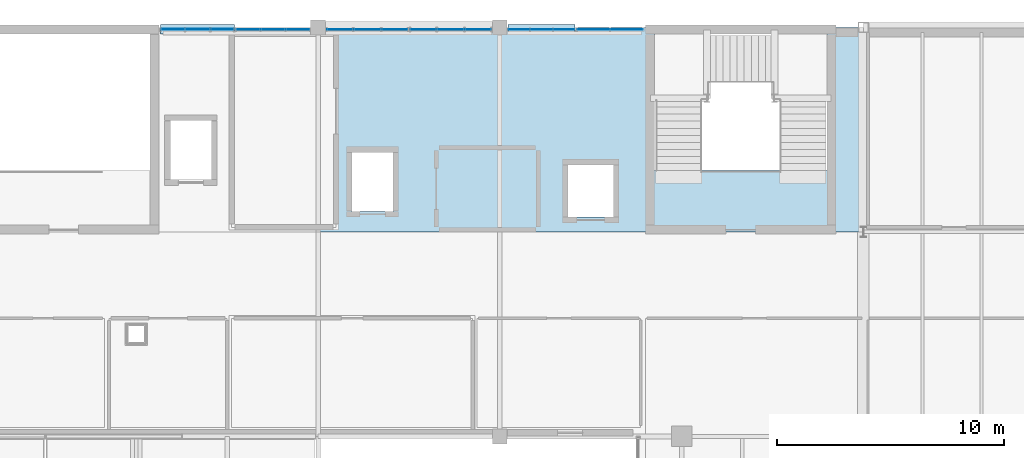
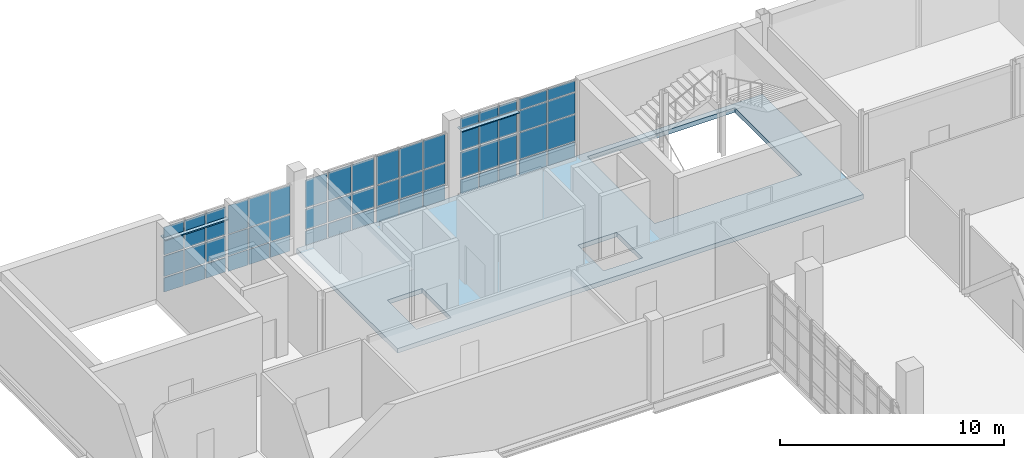
# One storey, part 22 of 38: 58 plates, 1 slab, 6 elements without a shape of their own.
"""IFC4 building model written with IfcOpenShell, lengths in metres."""

from ifc_helpers import new_model, si_unit, derived_unit, direction, frame, origin, origin_2d, place, context, subcontext, project, spatial, polyline, rectangle, outline, extrude, material, layer, layer_set, type_object, element, aggregate, save


model = new_model("IFC4")

# Units and contexts
model_context = context("Model", 3, precision=1e-05, world=origin(), true_north=direction((0.0, 1.0)))
body_context = subcontext(model_context, "Body", "Model", "MODEL_VIEW")
ifc_project = project(units=[si_unit("LENGTHUNIT", "METRE"), si_unit("AREAUNIT", "SQUARE_METRE"), si_unit("VOLUMEUNIT", "CUBIC_METRE"), si_unit("PLANEANGLEUNIT", "RADIAN"), si_unit("MASSUNIT", "GRAM", prefix="KILO"), derived_unit("THERMALTRANSMITTANCEUNIT", [(si_unit("POWERUNIT", "WATT"), 1), (si_unit("LENGTHUNIT", "METRE"), -2), (si_unit("THERMODYNAMICTEMPERATUREUNIT", "KELVIN"), -1)])], contexts=[model_context])

# Site, building, storey
site_placement = place(None, origin())
site = spatial("IfcSite", under=ifc_project, at=site_placement, CompositionType="ELEMENT")
building_placement = place(site_placement, origin())
building = spatial("IfcBuilding", under=site, at=building_placement, Name="Nallur Shell Playhouse", CompositionType="ELEMENT")
storey_placement = place(building_placement, frame((0.0, 0.0, 24.300048828125)))
storey = spatial("IfcBuildingStorey", under=building, at=storey_placement, Name="L06", CompositionType="ELEMENT", Elevation=24.300048828125)

# Curtain wall, plates
ifc_material_1 = material(Name="Anodised Aluminium Double-Glazed Facade System", Category="aluminium")
ifc_layer_1 = layer(ifc_material_1, 0.1640625)
ifc_layer_set_1 = layer_set([ifc_layer_1], Name="Anodised Aluminium Double-Glazed Facade System")
curtain_wall_type_1 = type_object("IfcCurtainWallType", Name="CW-UNIT-01", PredefinedType="NOTDEFINED", material=ifc_layer_set_1)
curtain_wall_1_placement = place(storey_placement, origin())
curtain_wall_1 = element("IfcCurtainWall", 1, at=curtain_wall_1_placement, inside=storey, type_object=curtain_wall_type_1, Name="Unitised curtain wall CW-193 (L06)", PredefinedType="NOTDEFINED")
ifc_material_2 = material(Name="Solar-Control Low-E Laminated Insulating Glass", Category="glass")
ifc_layer_2 = layer(ifc_material_2, 0.02587890625)
ifc_layer_set_2 = layer_set([ifc_layer_2], Name="Solar-Control Low-E Laminated Insulating Glass")
plate_type_1 = type_object("IfcPlateType", Name="PT-GLZ-01", PredefinedType="CURTAIN_PANEL", material=ifc_layer_set_2)
plate_1_placement = place(storey_placement, frame((36.930419921875, 82.909912109375, 0.05712890625), z_axis=(0.0, 0.0, 1.0), x_axis=(1.0, 0.0, 0.0)))
plate_1 = element("IfcPlate", 2, at=plate_1_placement, type_object=plate_type_1, Name="CW-01 panel 1.1", PredefinedType="CURTAIN_PANEL", context=body_context, shape_type="SweptSolid", body=[
    extrude(rectangle(XDim=1.019775390625, YDim=0.02587890625, at=origin_2d()), origin(), (0.0, 0.0, 1.0), 0.818603515625),
])
plate_2_placement = place(storey_placement, frame((36.930419921875, 82.909912109375, 0.92431640625), z_axis=(0.0, 0.0, 1.0), x_axis=(1.0, 0.0, 0.0)))
plate_2 = element("IfcPlate", 3, at=plate_2_placement, type_object=plate_type_1, Name="CW-01 panel 1.2", PredefinedType="CURTAIN_PANEL", context=body_context, shape_type="SweptSolid", body=[
    extrude(rectangle(XDim=1.019775390625, YDim=0.02587890625, at=origin_2d()), origin(), (0.0, 0.0, 1.0), 1.1201171875),
])
plate_3_placement = place(storey_placement, frame((36.930419921875, 82.909912109375, 2.093505859375), z_axis=(0.0, 0.0, 1.0), x_axis=(1.0, 0.0, 0.0)))
plate_3 = element("IfcPlate", 4, at=plate_3_placement, type_object=plate_type_1, Name="CW-01 panel 1.3", PredefinedType="CURTAIN_PANEL", context=body_context, shape_type="SweptSolid", body=[
    extrude(rectangle(XDim=1.019775390625, YDim=0.02587890625, at=origin_2d()), origin(), (0.0, 0.0, 1.0), 1.54443359375),
])
plate_4_placement = place(storey_placement, frame((38.01513671875, 82.909912109375, 0.05712890625), z_axis=(0.0, 0.0, 1.0), x_axis=(1.0, 0.0, 0.0)))
plate_4 = element("IfcPlate", 5, at=plate_4_placement, type_object=plate_type_1, Name="CW-01 panel 2.1", PredefinedType="CURTAIN_PANEL", context=body_context, shape_type="SweptSolid", body=[
    extrude(rectangle(XDim=1.05224609375, YDim=0.02587890625, at=origin_2d()), origin(), (0.0, 0.0, 1.0), 0.818603515625),
])
plate_5_placement = place(storey_placement, frame((38.01513671875, 82.909912109375, 0.92431640625), z_axis=(0.0, 0.0, 1.0), x_axis=(1.0, 0.0, 0.0)))
plate_5 = element("IfcPlate", 6, at=plate_5_placement, type_object=plate_type_1, Name="CW-01 panel 2.2", PredefinedType="CURTAIN_PANEL", context=body_context, shape_type="SweptSolid", body=[
    extrude(rectangle(XDim=1.05224609375, YDim=0.02587890625, at=origin_2d()), origin(), (0.0, 0.0, 1.0), 1.1201171875),
])
plate_6_placement = place(storey_placement, frame((38.01513671875, 82.909912109375, 2.093505859375), z_axis=(0.0, 0.0, 1.0), x_axis=(1.0, 0.0, 0.0)))
plate_6 = element("IfcPlate", 7, at=plate_6_placement, type_object=plate_type_1, Name="CW-01 panel 2.3", PredefinedType="CURTAIN_PANEL", context=body_context, shape_type="SweptSolid", body=[
    extrude(rectangle(XDim=1.05224609375, YDim=0.02587890625, at=origin_2d()), origin(), (0.0, 0.0, 1.0), 1.54443359375),
])
plate_7_placement = place(storey_placement, frame((39.10009765625, 82.909912109375, 0.05712890625), z_axis=(0.0, 0.0, 1.0), x_axis=(1.0, 0.0, 0.0)))
plate_7 = element("IfcPlate", 8, at=plate_7_placement, type_object=plate_type_1, Name="CW-01 panel 3.1", PredefinedType="CURTAIN_PANEL", context=body_context, shape_type="SweptSolid", body=[
    extrude(rectangle(XDim=1.019775390625, YDim=0.02587890625, at=origin_2d()), origin(), (0.0, 0.0, 1.0), 0.818603515625),
])
plate_8_placement = place(storey_placement, frame((39.10009765625, 82.909912109375, 0.92431640625), z_axis=(0.0, 0.0, 1.0), x_axis=(1.0, 0.0, 0.0)))
plate_8 = element("IfcPlate", 9, at=plate_8_placement, type_object=plate_type_1, Name="CW-01 panel 3.2", PredefinedType="CURTAIN_PANEL", context=body_context, shape_type="SweptSolid", body=[
    extrude(rectangle(XDim=1.019775390625, YDim=0.02587890625, at=origin_2d()), origin(), (0.0, 0.0, 1.0), 1.1201171875),
])
plate_9_placement = place(storey_placement, frame((39.10009765625, 82.909912109375, 2.093505859375), z_axis=(0.0, 0.0, 1.0), x_axis=(1.0, 0.0, 0.0)))
plate_9 = element("IfcPlate", 10, at=plate_9_placement, type_object=plate_type_1, Name="CW-01 panel 3.3", PredefinedType="CURTAIN_PANEL", context=body_context, shape_type="SweptSolid", body=[
    extrude(rectangle(XDim=1.019775390625, YDim=0.02587890625, at=origin_2d()), origin(), (0.0, 0.0, 1.0), 1.54443359375),
])
aggregate(curtain_wall_1, [plate_1, plate_2, plate_3, plate_4, plate_5, plate_6, plate_7, plate_8, plate_9])

ifc_layer_3 = layer(ifc_material_1, 0.16796875)
ifc_layer_set_3 = layer_set([ifc_layer_3], Name="Anodised Aluminium Double-Glazed Facade System")
curtain_wall_type_2 = type_object("IfcCurtainWallType", Name="CW-UNIT-02", PredefinedType="NOTDEFINED", material=ifc_layer_set_3)
curtain_wall_2_placement = place(storey_placement, origin())
curtain_wall_2 = element("IfcCurtainWall", 11, at=curtain_wall_2_placement, inside=storey, type_object=curtain_wall_type_2, Name="Unitised curtain wall CW-194 (L06)", PredefinedType="NOTDEFINED")
ifc_layer_4 = layer(ifc_material_2, 0.028076171875)
ifc_layer_set_4 = layer_set([ifc_layer_4], Name="Solar-Control Low-E Laminated Insulating Glass")
plate_type_2 = type_object("IfcPlateType", Name="PT-GLZ-02", PredefinedType="CURTAIN_PANEL", material=ifc_layer_set_4)
plate_10_placement = place(storey_placement, frame((40.96337890625, 82.909912109375, 0.091796875), z_axis=(0.0, 0.0, 1.0), x_axis=(1.0, 0.0, 0.0)))
plate_10 = element("IfcPlate", 12, at=plate_10_placement, type_object=plate_type_2, Name="CW-02 panel 1.1", PredefinedType="CURTAIN_PANEL", context=body_context, shape_type="SweptSolid", body=[
    extrude(rectangle(XDim=1.11669921875, YDim=0.028076171875, at=origin_2d()), origin(), (0.0, 0.0, 1.0), 0.76611328125),
])
plate_11_placement = place(storey_placement, frame((40.96337890625, 82.909912109375, 0.94189453125), z_axis=(0.0, 0.0, 1.0), x_axis=(1.0, 0.0, 0.0)))
plate_11 = element("IfcPlate", 13, at=plate_11_placement, type_object=plate_type_2, Name="CW-02 panel 1.2", PredefinedType="CURTAIN_PANEL", context=body_context, shape_type="SweptSolid", body=[
    extrude(rectangle(XDim=1.11669921875, YDim=0.028076171875, at=origin_2d()), origin(), (0.0, 0.0, 1.0), 1.10205078125),
])
plate_12_placement = place(storey_placement, frame((40.96337890625, 82.909912109375, 2.1279296875), z_axis=(0.0, 0.0, 1.0), x_axis=(1.0, 0.0, 0.0)))
plate_12 = element("IfcPlate", 14, at=plate_12_placement, type_object=plate_type_2, Name="CW-02 panel 1.3", PredefinedType="CURTAIN_PANEL", context=body_context, shape_type="SweptSolid", body=[
    extrude(rectangle(XDim=1.11669921875, YDim=0.028076171875, at=origin_2d()), origin(), (0.0, 0.0, 1.0), 1.5048828125),
])
plate_13_placement = place(storey_placement, frame((42.1640625, 82.909912109375, 0.091796875), z_axis=(0.0, 0.0, 1.0), x_axis=(1.0, 0.0, 0.0)))
plate_13 = element("IfcPlate", 15, at=plate_13_placement, type_object=plate_type_2, Name="CW-02 panel 2.1", PredefinedType="CURTAIN_PANEL", context=body_context, shape_type="SweptSolid", body=[
    extrude(rectangle(XDim=1.15673828125, YDim=0.028076171875, at=origin_2d()), origin(), (0.0, 0.0, 1.0), 0.76611328125),
])
plate_14_placement = place(storey_placement, frame((42.1640625, 82.909912109375, 0.94189453125), z_axis=(0.0, 0.0, 1.0), x_axis=(1.0, 0.0, 0.0)))
plate_14 = element("IfcPlate", 16, at=plate_14_placement, type_object=plate_type_2, Name="CW-02 panel 2.2", PredefinedType="CURTAIN_PANEL", context=body_context, shape_type="SweptSolid", body=[
    extrude(rectangle(XDim=1.15673828125, YDim=0.028076171875, at=origin_2d()), origin(), (0.0, 0.0, 1.0), 1.10205078125),
])
plate_15_placement = place(storey_placement, frame((42.1640625, 82.909912109375, 2.1279296875), z_axis=(0.0, 0.0, 1.0), x_axis=(1.0, 0.0, 0.0)))
plate_15 = element("IfcPlate", 17, at=plate_15_placement, type_object=plate_type_2, Name="CW-02 panel 2.3", PredefinedType="CURTAIN_PANEL", context=body_context, shape_type="SweptSolid", body=[
    extrude(rectangle(XDim=1.15673828125, YDim=0.028076171875, at=origin_2d()), origin(), (0.0, 0.0, 1.0), 1.5048828125),
])
plate_16_placement = place(storey_placement, frame((43.36474609375, 82.909912109375, 0.091796875), z_axis=(0.0, 0.0, 1.0), x_axis=(1.0, 0.0, 0.0)))
plate_16 = element("IfcPlate", 18, at=plate_16_placement, type_object=plate_type_2, Name="CW-02 panel 3.1", PredefinedType="CURTAIN_PANEL", context=body_context, shape_type="SweptSolid", body=[
    extrude(rectangle(XDim=1.11669921875, YDim=0.028076171875, at=origin_2d()), origin(), (0.0, 0.0, 1.0), 0.76611328125),
])
plate_17_placement = place(storey_placement, frame((43.36474609375, 82.909912109375, 0.94189453125), z_axis=(0.0, 0.0, 1.0), x_axis=(1.0, 0.0, 0.0)))
plate_17 = element("IfcPlate", 19, at=plate_17_placement, type_object=plate_type_2, Name="CW-02 panel 3.2", PredefinedType="CURTAIN_PANEL", context=body_context, shape_type="SweptSolid", body=[
    extrude(rectangle(XDim=1.11669921875, YDim=0.028076171875, at=origin_2d()), origin(), (0.0, 0.0, 1.0), 1.10205078125),
])
plate_18_placement = place(storey_placement, frame((43.36474609375, 82.909912109375, 2.1279296875), z_axis=(0.0, 0.0, 1.0), x_axis=(1.0, 0.0, 0.0)))
plate_18 = element("IfcPlate", 20, at=plate_18_placement, type_object=plate_type_2, Name="CW-02 panel 3.3", PredefinedType="CURTAIN_PANEL", context=body_context, shape_type="SweptSolid", body=[
    extrude(rectangle(XDim=1.11669921875, YDim=0.028076171875, at=origin_2d()), origin(), (0.0, 0.0, 1.0), 1.5048828125),
])
aggregate(curtain_wall_2, [plate_10, plate_11, plate_12, plate_13, plate_14, plate_15, plate_16, plate_17, plate_18])

ifc_layer_5 = layer(ifc_material_1, 0.172119140625)
ifc_layer_set_5 = layer_set([ifc_layer_5], Name="Anodised Aluminium Double-Glazed Facade System")
curtain_wall_type_3 = type_object("IfcCurtainWallType", Name="CW-UNIT-03", PredefinedType="NOTDEFINED", material=ifc_layer_set_5)
curtain_wall_3_placement = place(storey_placement, origin())
curtain_wall_3 = element("IfcCurtainWall", 21, at=curtain_wall_3_placement, inside=storey, type_object=curtain_wall_type_3, Name="Unitised curtain wall CW-195 (L06)", PredefinedType="NOTDEFINED")
ifc_layer_6 = layer(ifc_material_2, 0.030029296875)
ifc_layer_set_6 = layer_set([ifc_layer_6], Name="Solar-Control Low-E Laminated Insulating Glass")
plate_type_3 = type_object("IfcPlateType", Name="PT-GLZ-03", PredefinedType="CURTAIN_PANEL", material=ifc_layer_set_6)
plate_19_placement = place(storey_placement, frame((44.634033203125, 82.909912109375, 0.05712890625), z_axis=(0.0, 0.0, 1.0), x_axis=(1.0, 0.0, 0.0)))
plate_19 = element("IfcPlate", 22, at=plate_19_placement, type_object=plate_type_3, Name="CW-03 panel 1.1", PredefinedType="CURTAIN_PANEL", context=body_context, shape_type="SweptSolid", body=[
    extrude(rectangle(XDim=1.124267578125, YDim=0.030029296875, at=origin_2d()), origin(), (0.0, 0.0, 1.0), 0.818603515625),
])
plate_20_placement = place(storey_placement, frame((44.634033203125, 82.909912109375, 0.924560546875), z_axis=(0.0, 0.0, 1.0), x_axis=(1.0, 0.0, 0.0)))
plate_20 = element("IfcPlate", 23, at=plate_20_placement, type_object=plate_type_3, Name="CW-03 panel 1.2", PredefinedType="CURTAIN_PANEL", context=body_context, shape_type="SweptSolid", body=[
    extrude(rectangle(XDim=1.124267578125, YDim=0.030029296875, at=origin_2d()), origin(), (0.0, 0.0, 1.0), 1.1259765625),
])
plate_21_placement = place(storey_placement, frame((44.634033203125, 82.909912109375, 2.099609375), z_axis=(0.0, 0.0, 1.0), x_axis=(1.0, 0.0, 0.0)))
plate_21 = element("IfcPlate", 24, at=plate_21_placement, type_object=plate_type_3, Name="CW-03 panel 1.3", PredefinedType="CURTAIN_PANEL", context=body_context, shape_type="SweptSolid", body=[
    extrude(rectangle(XDim=1.124267578125, YDim=0.030029296875, at=origin_2d()), origin(), (0.0, 0.0, 1.0), 1.548583984375),
])
plate_22_placement = place(storey_placement, frame((45.8359375, 82.909912109375, 0.05712890625), z_axis=(0.0, 0.0, 1.0), x_axis=(1.0, 0.0, 0.0)))
plate_22 = element("IfcPlate", 25, at=plate_22_placement, type_object=plate_type_3, Name="CW-03 panel 2.1", PredefinedType="CURTAIN_PANEL", context=body_context, shape_type="SweptSolid", body=[
    extrude(rectangle(XDim=1.16162109375, YDim=0.030029296875, at=origin_2d()), origin(), (0.0, 0.0, 1.0), 0.818603515625),
])
plate_23_placement = place(storey_placement, frame((45.8359375, 82.909912109375, 0.924560546875), z_axis=(0.0, 0.0, 1.0), x_axis=(1.0, 0.0, 0.0)))
plate_23 = element("IfcPlate", 26, at=plate_23_placement, type_object=plate_type_3, Name="CW-03 panel 2.2", PredefinedType="CURTAIN_PANEL", context=body_context, shape_type="SweptSolid", body=[
    extrude(rectangle(XDim=1.16162109375, YDim=0.030029296875, at=origin_2d()), origin(), (0.0, 0.0, 1.0), 1.1259765625),
])
plate_24_placement = place(storey_placement, frame((45.8359375, 82.909912109375, 2.099609375), z_axis=(0.0, 0.0, 1.0), x_axis=(1.0, 0.0, 0.0)))
plate_24 = element("IfcPlate", 27, at=plate_24_placement, type_object=plate_type_3, Name="CW-03 panel 2.3", PredefinedType="CURTAIN_PANEL", context=body_context, shape_type="SweptSolid", body=[
    extrude(rectangle(XDim=1.16162109375, YDim=0.030029296875, at=origin_2d()), origin(), (0.0, 0.0, 1.0), 1.548583984375),
])
plate_25_placement = place(storey_placement, frame((47.037841796875, 82.909912109375, 0.05712890625), z_axis=(0.0, 0.0, 1.0), x_axis=(1.0, 0.0, 0.0)))
plate_25 = element("IfcPlate", 28, at=plate_25_placement, type_object=plate_type_3, Name="CW-03 panel 3.1", PredefinedType="CURTAIN_PANEL", context=body_context, shape_type="SweptSolid", body=[
    extrude(rectangle(XDim=1.124267578125, YDim=0.030029296875, at=origin_2d()), origin(), (0.0, 0.0, 1.0), 0.818603515625),
])
plate_26_placement = place(storey_placement, frame((47.037841796875, 82.909912109375, 0.924560546875), z_axis=(0.0, 0.0, 1.0), x_axis=(1.0, 0.0, 0.0)))
plate_26 = element("IfcPlate", 29, at=plate_26_placement, type_object=plate_type_3, Name="CW-03 panel 3.2", PredefinedType="CURTAIN_PANEL", context=body_context, shape_type="SweptSolid", body=[
    extrude(rectangle(XDim=1.124267578125, YDim=0.030029296875, at=origin_2d()), origin(), (0.0, 0.0, 1.0), 1.1259765625),
])
plate_27_placement = place(storey_placement, frame((47.037841796875, 82.909912109375, 2.099609375), z_axis=(0.0, 0.0, 1.0), x_axis=(1.0, 0.0, 0.0)))
plate_27 = element("IfcPlate", 30, at=plate_27_placement, type_object=plate_type_3, Name="CW-03 panel 3.3", PredefinedType="CURTAIN_PANEL", context=body_context, shape_type="SweptSolid", body=[
    extrude(rectangle(XDim=1.124267578125, YDim=0.030029296875, at=origin_2d()), origin(), (0.0, 0.0, 1.0), 1.548583984375),
])
aggregate(curtain_wall_3, [plate_19, plate_20, plate_21, plate_22, plate_23, plate_24, plate_25, plate_26, plate_27])

ifc_layer_7 = layer(ifc_material_1, 0.176025390625)
ifc_layer_set_7 = layer_set([ifc_layer_7], Name="Anodised Aluminium Double-Glazed Facade System")
curtain_wall_type_4 = type_object("IfcCurtainWallType", Name="CW-UNIT-04", PredefinedType="NOTDEFINED", material=ifc_layer_set_7)
curtain_wall_4_placement = place(storey_placement, origin())
curtain_wall_4 = element("IfcCurtainWall", 31, at=curtain_wall_4_placement, inside=storey, type_object=curtain_wall_type_4, Name="Unitised curtain wall CW-196 (L06)", PredefinedType="NOTDEFINED")
ifc_layer_8 = layer(ifc_material_2, 0.031982421875)
ifc_layer_set_8 = layer_set([ifc_layer_8], Name="Solar-Control Low-E Laminated Insulating Glass")
plate_type_4 = type_object("IfcPlateType", Name="PT-GLZ-04", PredefinedType="CURTAIN_PANEL", material=ifc_layer_set_8)
plate_28_placement = place(storey_placement, frame((48.849853515625, 82.909912109375, 0.091796875), z_axis=(0.0, 0.0, 1.0), x_axis=(1.0, 0.0, 0.0)))
plate_28 = element("IfcPlate", 32, at=plate_28_placement, type_object=plate_type_4, Name="CW-04 panel 1.1", PredefinedType="CURTAIN_PANEL", context=body_context, shape_type="SweptSolid", body=[
    extrude(rectangle(XDim=0.919677734375, YDim=0.031982421875, at=origin_2d()), origin(), (0.0, 0.0, 1.0), 0.76611328125),
])
plate_29_placement = place(storey_placement, frame((48.849853515625, 82.909912109375, 0.94189453125), z_axis=(0.0, 0.0, 1.0), x_axis=(1.0, 0.0, 0.0)))
plate_29 = element("IfcPlate", 33, at=plate_29_placement, type_object=plate_type_4, Name="CW-04 panel 1.2", PredefinedType="CURTAIN_PANEL", context=body_context, shape_type="SweptSolid", body=[
    extrude(rectangle(XDim=0.919677734375, YDim=0.031982421875, at=origin_2d()), origin(), (0.0, 0.0, 1.0), 1.4130859375),
])
plate_30_placement = place(storey_placement, frame((48.849853515625, 82.909912109375, 2.43896484375), z_axis=(0.0, 0.0, 1.0), x_axis=(1.0, 0.0, 0.0)))
plate_30 = element("IfcPlate", 34, at=plate_30_placement, type_object=plate_type_4, Name="CW-04 panel 1.3", PredefinedType="CURTAIN_PANEL", context=body_context, shape_type="SweptSolid", body=[
    extrude(rectangle(XDim=0.919677734375, YDim=0.031982421875, at=origin_2d()), origin(), (0.0, 0.0, 1.0), 1.118896484375),
])
plate_31_placement = place(storey_placement, frame((48.849853515625, 82.909912109375, 3.64208984375), z_axis=(0.0, 0.0, 1.0), x_axis=(1.0, 0.0, 0.0)))
plate_31 = element("IfcPlate", 35, at=plate_31_placement, type_object=plate_type_4, Name="CW-04 panel 1.4", PredefinedType="CURTAIN_PANEL", context=body_context, shape_type="SweptSolid", body=[
    extrude(rectangle(XDim=0.919677734375, YDim=0.031982421875, at=origin_2d()), origin(), (0.0, 0.0, 1.0), 0.5458984375),
])
plate_32_placement = place(storey_placement, frame((49.834716796875, 82.909912109375, 0.091796875), z_axis=(0.0, 0.0, 1.0), x_axis=(1.0, 0.0, 0.0)))
plate_32 = element("IfcPlate", 36, at=plate_32_placement, type_object=plate_type_4, Name="CW-04 panel 2.1", PredefinedType="CURTAIN_PANEL", context=body_context, shape_type="SweptSolid", body=[
    extrude(rectangle(XDim=0.9521484375, YDim=0.031982421875, at=origin_2d()), origin(), (0.0, 0.0, 1.0), 0.76611328125),
])
plate_33_placement = place(storey_placement, frame((49.834716796875, 82.909912109375, 0.94189453125), z_axis=(0.0, 0.0, 1.0), x_axis=(1.0, 0.0, 0.0)))
plate_33 = element("IfcPlate", 37, at=plate_33_placement, type_object=plate_type_4, Name="CW-04 panel 2.2", PredefinedType="CURTAIN_PANEL", context=body_context, shape_type="SweptSolid", body=[
    extrude(rectangle(XDim=0.9521484375, YDim=0.031982421875, at=origin_2d()), origin(), (0.0, 0.0, 1.0), 1.4130859375),
])
plate_34_placement = place(storey_placement, frame((49.834716796875, 82.909912109375, 2.43896484375), z_axis=(0.0, 0.0, 1.0), x_axis=(1.0, 0.0, 0.0)))
plate_34 = element("IfcPlate", 38, at=plate_34_placement, type_object=plate_type_4, Name="CW-04 panel 2.3", PredefinedType="CURTAIN_PANEL", context=body_context, shape_type="SweptSolid", body=[
    extrude(rectangle(XDim=0.9521484375, YDim=0.031982421875, at=origin_2d()), origin(), (0.0, 0.0, 1.0), 1.118896484375),
])
plate_35_placement = place(storey_placement, frame((49.834716796875, 82.909912109375, 3.64208984375), z_axis=(0.0, 0.0, 1.0), x_axis=(1.0, 0.0, 0.0)))
plate_35 = element("IfcPlate", 39, at=plate_35_placement, type_object=plate_type_4, Name="CW-04 panel 2.4", PredefinedType="CURTAIN_PANEL", context=body_context, shape_type="SweptSolid", body=[
    extrude(rectangle(XDim=0.9521484375, YDim=0.031982421875, at=origin_2d()), origin(), (0.0, 0.0, 1.0), 0.5458984375),
])
plate_36_placement = place(storey_placement, frame((50.819580078125, 82.909912109375, 0.091796875), z_axis=(0.0, 0.0, 1.0), x_axis=(1.0, 0.0, 0.0)))
plate_36 = element("IfcPlate", 40, at=plate_36_placement, type_object=plate_type_4, Name="CW-04 panel 3.1", PredefinedType="CURTAIN_PANEL", context=body_context, shape_type="SweptSolid", body=[
    extrude(rectangle(XDim=0.919677734375, YDim=0.031982421875, at=origin_2d()), origin(), (0.0, 0.0, 1.0), 0.76611328125),
])
plate_37_placement = place(storey_placement, frame((50.819580078125, 82.909912109375, 0.94189453125), z_axis=(0.0, 0.0, 1.0), x_axis=(1.0, 0.0, 0.0)))
plate_37 = element("IfcPlate", 41, at=plate_37_placement, type_object=plate_type_4, Name="CW-04 panel 3.2", PredefinedType="CURTAIN_PANEL", context=body_context, shape_type="SweptSolid", body=[
    extrude(rectangle(XDim=0.919677734375, YDim=0.031982421875, at=origin_2d()), origin(), (0.0, 0.0, 1.0), 1.4130859375),
])
plate_38_placement = place(storey_placement, frame((50.819580078125, 82.909912109375, 2.43896484375), z_axis=(0.0, 0.0, 1.0), x_axis=(1.0, 0.0, 0.0)))
plate_38 = element("IfcPlate", 42, at=plate_38_placement, type_object=plate_type_4, Name="CW-04 panel 3.3", PredefinedType="CURTAIN_PANEL", context=body_context, shape_type="SweptSolid", body=[
    extrude(rectangle(XDim=0.919677734375, YDim=0.031982421875, at=origin_2d()), origin(), (0.0, 0.0, 1.0), 1.118896484375),
])
plate_39_placement = place(storey_placement, frame((50.819580078125, 82.909912109375, 3.64208984375), z_axis=(0.0, 0.0, 1.0), x_axis=(1.0, 0.0, 0.0)))
plate_39 = element("IfcPlate", 43, at=plate_39_placement, type_object=plate_type_4, Name="CW-04 panel 3.4", PredefinedType="CURTAIN_PANEL", context=body_context, shape_type="SweptSolid", body=[
    extrude(rectangle(XDim=0.919677734375, YDim=0.031982421875, at=origin_2d()), origin(), (0.0, 0.0, 1.0), 0.5458984375),
])
aggregate(curtain_wall_4, [plate_28, plate_29, plate_30, plate_31, plate_32, plate_33, plate_34, plate_35, plate_36, plate_37, plate_38, plate_39])

ifc_layer_9 = layer(ifc_material_1, 0.179931640625)
ifc_layer_set_9 = layer_set([ifc_layer_9], Name="Anodised Aluminium Double-Glazed Facade System")
curtain_wall_type_5 = type_object("IfcCurtainWallType", Name="CW-UNIT-05", PredefinedType="NOTDEFINED", material=ifc_layer_set_9)
curtain_wall_5_placement = place(storey_placement, origin())
curtain_wall_5 = element("IfcCurtainWall", 44, at=curtain_wall_5_placement, inside=storey, type_object=curtain_wall_type_5, Name="Unitised curtain wall CW-197 (L06)", PredefinedType="NOTDEFINED")
ifc_layer_10 = layer(ifc_material_2, 0.033935546875)
ifc_layer_set_10 = layer_set([ifc_layer_10], Name="Solar-Control Low-E Laminated Insulating Glass")
plate_type_5 = type_object("IfcPlateType", Name="PT-GLZ-05", PredefinedType="CURTAIN_PANEL", material=ifc_layer_set_10)
plate_40_placement = place(storey_placement, frame((52.117431640625, 82.909912109375, 0.05712890625), z_axis=(0.0, 0.0, 1.0), x_axis=(1.0, 0.0, 0.0)))
plate_40 = element("IfcPlate", 45, at=plate_40_placement, type_object=plate_type_5, Name="CW-05 panel 1.1", PredefinedType="CURTAIN_PANEL", context=body_context, shape_type="SweptSolid", body=[
    extrude(rectangle(XDim=1.397705078125, YDim=0.033935546875, at=origin_2d()), origin(), (0.0, 0.0, 1.0), 0.818603515625),
])
plate_41_placement = place(storey_placement, frame((52.117431640625, 82.909912109375, 0.924560546875), z_axis=(0.0, 0.0, 1.0), x_axis=(1.0, 0.0, 0.0)))
plate_41 = element("IfcPlate", 46, at=plate_41_placement, type_object=plate_type_5, Name="CW-05 panel 1.2", PredefinedType="CURTAIN_PANEL", context=body_context, shape_type="SweptSolid", body=[
    extrude(rectangle(XDim=1.397705078125, YDim=0.033935546875, at=origin_2d()), origin(), (0.0, 0.0, 1.0), 1.43701171875),
])
plate_42_placement = place(storey_placement, frame((52.117431640625, 82.909912109375, 2.410400390625), z_axis=(0.0, 0.0, 1.0), x_axis=(1.0, 0.0, 0.0)))
plate_42 = element("IfcPlate", 47, at=plate_42_placement, type_object=plate_type_5, Name="CW-05 panel 1.3", PredefinedType="CURTAIN_PANEL", context=body_context, shape_type="SweptSolid", body=[
    extrude(rectangle(XDim=1.397705078125, YDim=0.033935546875, at=origin_2d()), origin(), (0.0, 0.0, 1.0), 1.14501953125),
])
plate_43_placement = place(storey_placement, frame((52.117431640625, 82.909912109375, 3.6044921875), z_axis=(0.0, 0.0, 1.0), x_axis=(1.0, 0.0, 0.0)))
plate_43 = element("IfcPlate", 48, at=plate_43_placement, type_object=plate_type_5, Name="CW-05 panel 1.4", PredefinedType="CURTAIN_PANEL", context=body_context, shape_type="SweptSolid", body=[
    extrude(rectangle(XDim=1.397705078125, YDim=0.033935546875, at=origin_2d()), origin(), (0.0, 0.0, 1.0), 0.598388671875),
])
plate_44_placement = place(storey_placement, frame((53.5791015625, 82.909912109375, 0.05712890625), z_axis=(0.0, 0.0, 1.0), x_axis=(1.0, 0.0, 0.0)))
plate_44 = element("IfcPlate", 49, at=plate_44_placement, type_object=plate_type_5, Name="CW-05 panel 2.1", PredefinedType="CURTAIN_PANEL", context=body_context, shape_type="SweptSolid", body=[
    extrude(rectangle(XDim=1.397705078125, YDim=0.033935546875, at=origin_2d()), origin(), (0.0, 0.0, 1.0), 0.818603515625),
])
plate_45_placement = place(storey_placement, frame((53.5791015625, 82.909912109375, 0.924560546875), z_axis=(0.0, 0.0, 1.0), x_axis=(1.0, 0.0, 0.0)))
plate_45 = element("IfcPlate", 50, at=plate_45_placement, type_object=plate_type_5, Name="CW-05 panel 2.2", PredefinedType="CURTAIN_PANEL", context=body_context, shape_type="SweptSolid", body=[
    extrude(rectangle(XDim=1.397705078125, YDim=0.033935546875, at=origin_2d()), origin(), (0.0, 0.0, 1.0), 1.43701171875),
])
plate_46_placement = place(storey_placement, frame((53.5791015625, 82.909912109375, 2.410400390625), z_axis=(0.0, 0.0, 1.0), x_axis=(1.0, 0.0, 0.0)))
plate_46 = element("IfcPlate", 51, at=plate_46_placement, type_object=plate_type_5, Name="CW-05 panel 2.3", PredefinedType="CURTAIN_PANEL", context=body_context, shape_type="SweptSolid", body=[
    extrude(rectangle(XDim=1.397705078125, YDim=0.033935546875, at=origin_2d()), origin(), (0.0, 0.0, 1.0), 1.14501953125),
])
plate_47_placement = place(storey_placement, frame((53.5791015625, 82.909912109375, 3.6044921875), z_axis=(0.0, 0.0, 1.0), x_axis=(1.0, 0.0, 0.0)))
plate_47 = element("IfcPlate", 52, at=plate_47_placement, type_object=plate_type_5, Name="CW-05 panel 2.4", PredefinedType="CURTAIN_PANEL", context=body_context, shape_type="SweptSolid", body=[
    extrude(rectangle(XDim=1.397705078125, YDim=0.033935546875, at=origin_2d()), origin(), (0.0, 0.0, 1.0), 0.598388671875),
])
aggregate(curtain_wall_5, [plate_40, plate_41, plate_42, plate_43, plate_44, plate_45, plate_46, plate_47])

ifc_layer_11 = layer(ifc_material_1, 0.16796875)
ifc_layer_set_11 = layer_set([ifc_layer_11], Name="Anodised Aluminium Double-Glazed Facade System")
curtain_wall_type_6 = type_object("IfcCurtainWallType", Name="CW-UNIT-32", PredefinedType="NOTDEFINED", material=ifc_layer_set_11)
curtain_wall_6_placement = place(storey_placement, origin())
curtain_wall_6 = element("IfcCurtainWall", 53, at=curtain_wall_6_placement, inside=storey, type_object=curtain_wall_type_6, Name="Unitised curtain wall CW-192 (L06)", PredefinedType="NOTDEFINED")
ifc_layer_12 = layer(ifc_material_2, 0.0400390625)
ifc_layer_set_12 = layer_set([ifc_layer_12], Name="Solar-Control Low-E Laminated Insulating Glass")
plate_type_6 = type_object("IfcPlateType", Name="PT-GLZ-08", PredefinedType="CURTAIN_PANEL", material=ifc_layer_set_12)
plate_48_placement = place(storey_placement, frame((33.619384765625, 82.909912109375, 0.091796875), z_axis=(0.0, 0.0, 1.0), x_axis=(1.0, 0.0, 0.0)))
plate_48 = element("IfcPlate", 54, at=plate_48_placement, type_object=plate_type_6, Name="CW-32 panel 1.1", PredefinedType="CURTAIN_PANEL", context=body_context, shape_type="SweptSolid", body=[
    extrude(rectangle(XDim=1.004638671875, YDim=0.0400390625, at=origin_2d()), origin(), (0.0, 0.0, 1.0), 0.76611328125),
])
plate_49_placement = place(storey_placement, frame((33.619384765625, 82.909912109375, 0.94189453125), z_axis=(0.0, 0.0, 1.0), x_axis=(1.0, 0.0, 0.0)))
plate_49 = element("IfcPlate", 55, at=plate_49_placement, type_object=plate_type_6, Name="CW-32 panel 1.2", PredefinedType="CURTAIN_PANEL", context=body_context, shape_type="SweptSolid", body=[
    extrude(rectangle(XDim=1.004638671875, YDim=0.0400390625, at=origin_2d()), origin(), (0.0, 0.0, 1.0), 1.095947265625),
])
plate_50_placement = place(storey_placement, frame((33.619384765625, 82.909912109375, 2.1220703125), z_axis=(0.0, 0.0, 1.0), x_axis=(1.0, 0.0, 0.0)))
plate_50 = element("IfcPlate", 56, at=plate_50_placement, type_object=plate_type_6, Name="CW-32 panel 1.3", PredefinedType="CURTAIN_PANEL", context=body_context, shape_type="SweptSolid", body=[
    extrude(rectangle(XDim=1.004638671875, YDim=0.0400390625, at=origin_2d()), origin(), (0.0, 0.0, 1.0), 1.5009765625),
])
plate_51_placement = place(storey_placement, frame((34.70166015625, 82.909912109375, 0.091796875), z_axis=(0.0, 0.0, 1.0), x_axis=(1.0, 0.0, 0.0)))
plate_51 = element("IfcPlate", 57, at=plate_51_placement, type_object=plate_type_6, Name="CW-32 panel 2.1", PredefinedType="CURTAIN_PANEL", context=body_context, shape_type="SweptSolid", body=[
    extrude(rectangle(XDim=1.042236328125, YDim=0.0400390625, at=origin_2d()), origin(), (0.0, 0.0, 1.0), 0.76611328125),
])
plate_52_placement = place(storey_placement, frame((34.70166015625, 82.909912109375, 0.94189453125), z_axis=(0.0, 0.0, 1.0), x_axis=(1.0, 0.0, 0.0)))
plate_52 = element("IfcPlate", 58, at=plate_52_placement, type_object=plate_type_6, Name="CW-32 panel 2.2", PredefinedType="CURTAIN_PANEL", context=body_context, shape_type="SweptSolid", body=[
    extrude(rectangle(XDim=1.042236328125, YDim=0.0400390625, at=origin_2d()), origin(), (0.0, 0.0, 1.0), 1.095947265625),
])
plate_53_placement = place(storey_placement, frame((34.70166015625, 82.909912109375, 2.1220703125), z_axis=(0.0, 0.0, 1.0), x_axis=(1.0, 0.0, 0.0)))
plate_53 = element("IfcPlate", 59, at=plate_53_placement, type_object=plate_type_6, Name="CW-32 panel 2.3", PredefinedType="CURTAIN_PANEL", context=body_context, shape_type="SweptSolid", body=[
    extrude(rectangle(XDim=1.042236328125, YDim=0.0400390625, at=origin_2d()), origin(), (0.0, 0.0, 1.0), 1.5009765625),
])
plate_54_placement = place(storey_placement, frame((35.7841796875, 82.909912109375, 0.091796875), z_axis=(0.0, 0.0, 1.0), x_axis=(1.0, 0.0, 0.0)))
plate_54 = element("IfcPlate", 60, at=plate_54_placement, type_object=plate_type_6, Name="CW-32 panel 3.1", PredefinedType="CURTAIN_PANEL", context=body_context, shape_type="SweptSolid", body=[
    extrude(rectangle(XDim=1.004638671875, YDim=0.0400390625, at=origin_2d()), origin(), (0.0, 0.0, 1.0), 0.76611328125),
])
plate_55_placement = place(storey_placement, frame((35.7841796875, 82.909912109375, 0.94189453125), z_axis=(0.0, 0.0, 1.0), x_axis=(1.0, 0.0, 0.0)))
plate_55 = element("IfcPlate", 61, at=plate_55_placement, type_object=plate_type_6, Name="CW-32 panel 3.2", PredefinedType="CURTAIN_PANEL", context=body_context, shape_type="SweptSolid", body=[
    extrude(rectangle(XDim=1.004638671875, YDim=0.0400390625, at=origin_2d()), origin(), (0.0, 0.0, 1.0), 1.095947265625),
])
plate_56_placement = place(storey_placement, frame((35.7841796875, 82.909912109375, 2.1220703125), z_axis=(0.0, 0.0, 1.0), x_axis=(1.0, 0.0, 0.0)))
plate_56 = element("IfcPlate", 62, at=plate_56_placement, type_object=plate_type_6, Name="CW-32 panel 3.3", PredefinedType="CURTAIN_PANEL", context=body_context, shape_type="SweptSolid", body=[
    extrude(rectangle(XDim=1.004638671875, YDim=0.0400390625, at=origin_2d()), origin(), (0.0, 0.0, 1.0), 1.5009765625),
])
aggregate(curtain_wall_6, [plate_48, plate_49, plate_50, plate_51, plate_52, plate_53, plate_54, plate_55, plate_56])

# Plates
ifc_material_3 = material(Name="Terracotta & Gold-Anodised Monsoon Sunshade Blade", Category="masonry")
ifc_layer_13 = layer(ifc_material_3, 0.044921875)
ifc_layer_set_13 = layer_set([ifc_layer_13], Name="Terracotta & Gold-Anodised Monsoon Sunshade Blade")
plate_type_7 = type_object("IfcPlateType", Name="PT-LOUVRE-01", PredefinedType="USERDEFINED", material=ifc_layer_set_13)
plate_57_placement = place(storey_placement, frame((49.834716796875, 82.909912109375, 3.577392578125), z_axis=(0.0, 0.0, 1.0), x_axis=(1.0, 0.0, 0.0)))
element("IfcPlate", 63, at=plate_57_placement, inside=storey, type_object=plate_type_7, Name="Monsoon sunshade louvre blade LV-049", ObjectType="SUNSHADE LOUVRE", PredefinedType="USERDEFINED", context=body_context, shape_type="SweptSolid", body=[
    extrude(rectangle(XDim=2.964111328125, YDim=0.419921875, at=origin_2d()), origin(), (0.0, 0.0, 1.0), 0.044921875),
])
ifc_layer_14 = layer(ifc_material_3, 0.06005859375)
ifc_layer_set_14 = layer_set([ifc_layer_14], Name="Terracotta & Gold-Anodised Monsoon Sunshade Blade")
plate_type_8 = type_object("IfcPlateType", Name="PT-LOUVRE-04", PredefinedType="USERDEFINED", material=ifc_layer_set_14)
plate_58_placement = place(storey_placement, frame((34.70166015625, 82.909912109375, 3.0048828125), z_axis=(0.0, 0.0, 1.0), x_axis=(1.0, 0.0, 0.0)))
element("IfcPlate", 64, at=plate_58_placement, inside=storey, type_object=plate_type_8, Name="Monsoon sunshade louvre blade LV-048", ObjectType="SUNSHADE LOUVRE", PredefinedType="USERDEFINED", context=body_context, shape_type="SweptSolid", body=[
    extrude(rectangle(XDim=3.263916015625, YDim=0.419921875, at=origin_2d()), origin(), (0.0, 0.0, 1.0), 0.06005859375),
])

# Slab
ifc_material_4 = material(Name="Concrete M30", Category="concrete")
ifc_layer_15 = layer(ifc_material_4, 0.25)
ifc_layer_set_15 = layer_set([ifc_layer_15], Name="Concrete M30")
slab_type = type_object("IfcSlabType", Name="SL-UPPER-250", PredefinedType="FLOOR", material=ifc_layer_set_15)
slab_placement = place(storey_placement, frame((0.0, 0.0, -0.25)))
element("IfcSlab", 65, at=slab_placement, inside=storey, type_object=slab_type, Name="L06 structural floor slab panel 04", PredefinedType="FLOOR", context=body_context, shape_type="SweptSolid", body=[
    extrude(outline(polyline([(64.0, 83.0), (64.0, 74.0), (40.0, 74.0), (40.0, 83.0), (64.0, 83.0)]), holes=[polyline([(51.0, 74.64990234375), (53.0, 74.64990234375), (53.0, 76.949951171875), (51.0, 76.949951171875), (51.0, 74.64990234375)]), polyline([(41.5, 74.89990234375), (43.300048828125, 74.89990234375), (43.300048828125, 77.5), (41.5, 77.5), (41.5, 74.89990234375)]), polyline([(54.800048828125, 82.699951171875), (54.800048828125, 76.699951171875), (62.39990234375, 76.699951171875), (62.39990234375, 82.699951171875), (54.800048828125, 82.699951171875)])]), origin(), (0.0, 0.0, 1.0), 0.25),
])

save(model, "model.ifc")
